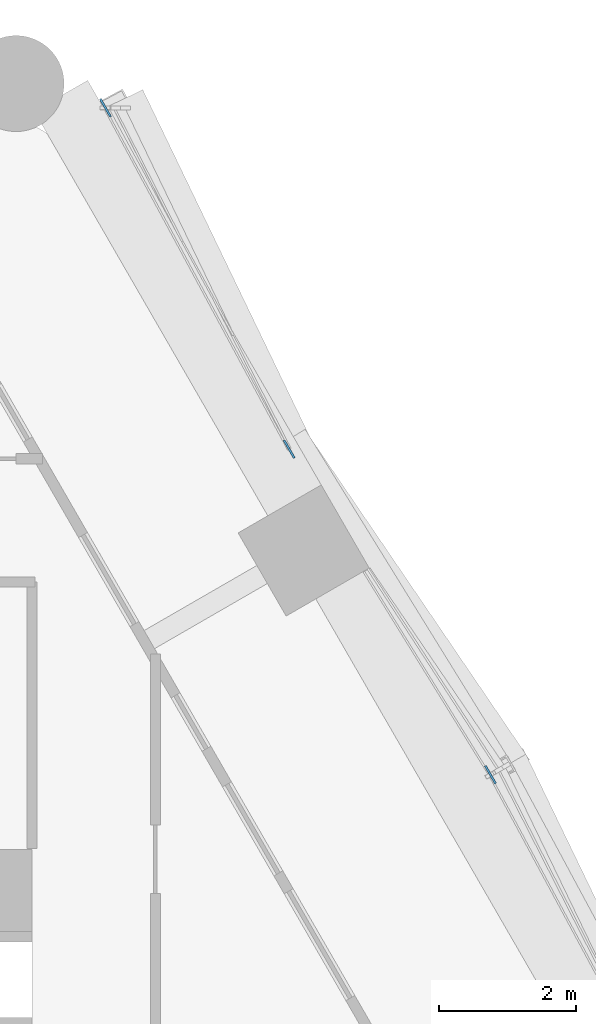
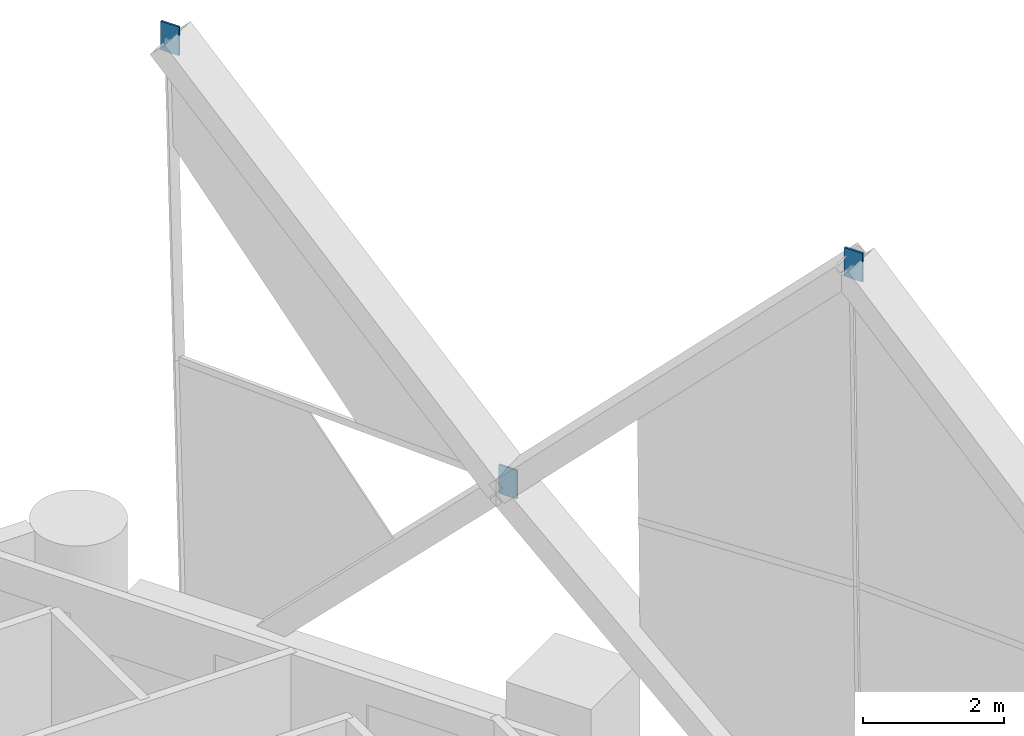
# One storey, part 21 of 22: 3 discrete accessories.
"""IFC4 building model written with IfcOpenShell, lengths in metres."""

from ifc_helpers import new_model, si_unit, direction, frame, origin, origin_2d, place, context, subcontext, project, spatial, rectangle, extrude, material, layer, layer_set, type_object, element, save


model = new_model("IFC4")

# Units and contexts
model_context = context("Model", 3, precision=1e-05, world=origin(), true_north=direction((0.0, 1.0)))
body_context = subcontext(model_context, "Body", "Model", "MODEL_VIEW")
ifc_project = project(units=[si_unit("LENGTHUNIT", "METRE"), si_unit("AREAUNIT", "SQUARE_METRE"), si_unit("VOLUMEUNIT", "CUBIC_METRE"), si_unit("PLANEANGLEUNIT", "RADIAN"), si_unit("MASSUNIT", "GRAM", prefix="KILO")], contexts=[model_context])

# Site, building, storey
site_placement = place(None, origin())
site = spatial("IfcSite", under=ifc_project, at=site_placement, CompositionType="ELEMENT")
building_placement = place(site_placement, origin())
building = spatial("IfcBuilding", under=site, at=building_placement, Name="Ostrander Bayou Hotel Tower", CompositionType="ELEMENT")
storey_placement = place(building_placement, frame((0.0, 0.0, 46.75)))
storey = spatial("IfcBuildingStorey", under=building, at=storey_placement, Name="L11", CompositionType="ELEMENT", Elevation=46.75)

# Discrete accessories
ifc_material = material(Name="Steel ASTM A572 Gr 50", Category="steel")
ifc_layer = layer(ifc_material, 0.030029296875)
ifc_layer_set = layer_set([ifc_layer], Name="GP1 gusset plate 30 mm")
discrete_accessory_type = type_object("IfcDiscreteAccessoryType", Name="GP1 gusset plate 30 mm", PredefinedType="BRACKET", material=ifc_layer_set)
for number, where, z_axis, x_axis, name in (
    (1, (18.68798828125, 10.78955078125, 10.39990234375), (0.0, 0.0, 1.0), (-0.5, 0.866025403784, 0.0), "GP1 gusset plate lat 113"),
    (2, (15.751708984375, 15.539306640625, 4.77490234375), (0.0, 0.0, 1.0), (-0.5, 0.866025403784, 0.0), "GP1 gusset plate lat 114"),
    (3, (13.071044921875, 20.5185546875, 10.39990234375), (0.0, 0.0, 1.0), (-0.5, 0.866025403784, 0.0), "GP1 gusset plate lat 115"),
):
    element("IfcDiscreteAccessory", number, at=place(storey_placement, frame(where, z_axis=z_axis, x_axis=x_axis)), inside=storey, type_object=discrete_accessory_type, Name=name, PredefinedType="BRACKET", context=body_context, shape_type="SweptSolid", body=[
        extrude(rectangle(XDim=0.300048828125, YDim=0.030029296875, at=origin_2d()), origin(), (0.0, 0.0, 1.0), 0.5),
    ])

save(model, "model.ifc")
